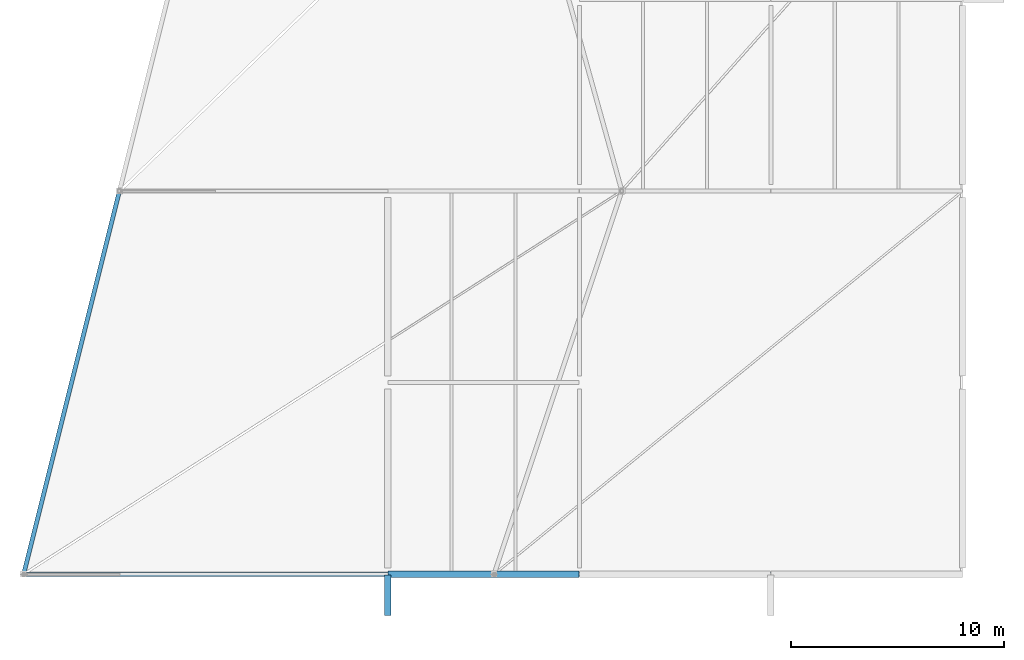
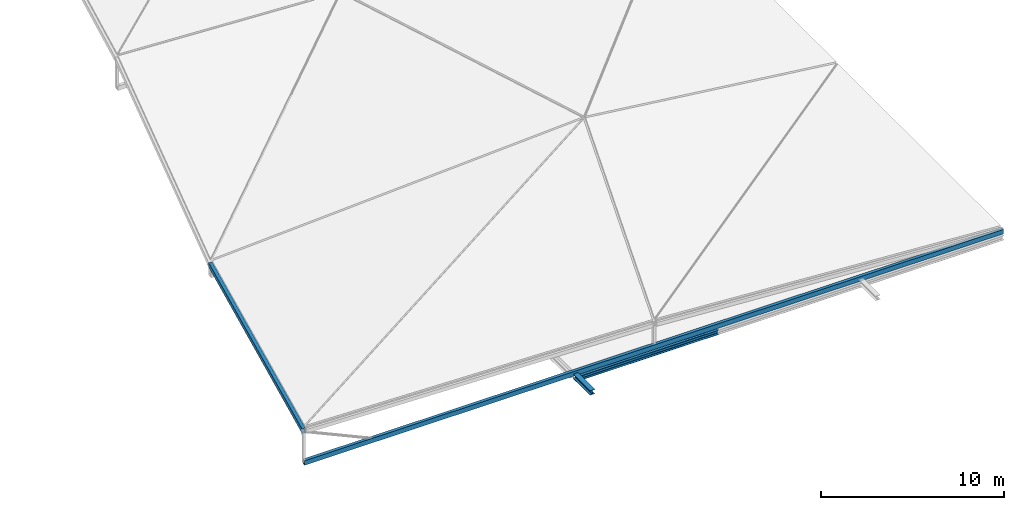
# One storey, part 2 of 18: 2 beams, 2 members.
"""IFC4 building model written with IfcOpenShell, lengths in metres."""

from ifc_helpers import new_model, si_unit, direction, frame, origin, origin_2d, place, context, subcontext, project, spatial, hollow_rectangle, i_section, extrude, material, material_profile, profile_set, type_object, element, save


model = new_model("IFC4")

# Units and contexts
model_context = context("Model", 3, precision=1e-05, world=origin(), true_north=direction((0.0, 1.0)))
body_context = subcontext(model_context, "Body", "Model", "MODEL_VIEW")
ifc_project = project(units=[si_unit("LENGTHUNIT", "METRE"), si_unit("AREAUNIT", "SQUARE_METRE"), si_unit("VOLUMEUNIT", "CUBIC_METRE"), si_unit("PLANEANGLEUNIT", "RADIAN"), si_unit("MASSUNIT", "GRAM", prefix="KILO")], contexts=[model_context])

# Site, building, storey
site_placement = place(None, origin())
site = spatial("IfcSite", under=ifc_project, at=site_placement, CompositionType="ELEMENT")
building_placement = place(site_placement, origin())
building = spatial("IfcBuilding", under=site, at=building_placement, Name="Deido Ridge Mobility Hub", CompositionType="ELEMENT")
storey_placement = place(building_placement, frame((0.0, 0.0, 29.39990234375)))
storey = spatial("IfcBuildingStorey", under=building, at=storey_placement, Name="RF", CompositionType="ELEMENT", Elevation=29.39990234375)

# Members
ifc_material_1 = material(Name="Steel S355J2H EN 10210-1", Category="steel")
ifc_material_profile_1 = material_profile(ifc_material_1, hollow_rectangle(XDim=0.199951171875, YDim=0.300048828125, WallThickness=0.012451171875, at=origin_2d()), Name="RHS 300x200x12.5")
ifc_profile_set_1 = profile_set([ifc_material_profile_1], Name="Steel S355J2H EN 10210-1")
member_type = type_object("IfcMemberType", Name="MEM-CHD-RHS300", PredefinedType="CHORD", material=ifc_profile_set_1)
member_1_placement = place(storey_placement, frame((135.89990234375, 0.0, 0.0), z_axis=(1.0, 0.0, 0.0), x_axis=(0.0, 1.0, 0.0)))
element("IfcMember", 1, at=member_1_placement, inside=storey, type_object=member_type, Name="Crystal roof tie chord CH1", PredefinedType="CHORD", context=body_context, shape_type="SweptSolid", body=[
    extrude(hollow_rectangle(XDim=0.199951171875, YDim=0.300048828125, WallThickness=0.012451171875, at=origin_2d()), origin(), (0.0, 0.0, 1.0), 44.10009765625),
])
member_2_placement = place(storey_placement, frame((135.89990234375, 0.0, 2.090087890625), z_axis=(0.241848212178, 0.967392848711, -0.075236417569), x_axis=(-0.970142500145, 0.242535625036, 0.0)))
element("IfcMember", 2, at=member_2_placement, inside=storey, type_object=member_type, Name="Crystal longitudinal ridge chord CH1", PredefinedType="CHORD", context=body_context, shape_type="SweptSolid", body=[
    extrude(hollow_rectangle(XDim=0.199951171875, YDim=0.300048828125, WallThickness=0.012451171875, at=origin_2d()), origin(), (0.0, 0.0, 1.0), 18.606689453125),
])

# Beams
ifc_material_2 = material(Name="Steel S355J2 EN 10025-2", Category="steel")
ifc_material_profile_2 = material_profile(ifc_material_2, i_section(OverallWidth=0.300048828125, OverallDepth=0.300048828125, WebThickness=0.010986328125, FlangeThickness=0.01904296875, FilletRadius=0.027099609375, at=origin_2d()), Name="HEB 300")
ifc_profile_set_2 = profile_set([ifc_material_profile_2], Name="Steel S355J2 EN 10025-2")
beam_type = type_object("IfcBeamType", Name="SPD-HEB300", PredefinedType="SPANDREL", material=ifc_profile_set_2)
beam_1_placement = place(storey_placement, frame((153.0078125, 0.0, -0.389892578125), z_axis=(1.0, 0.0, 0.0), x_axis=(0.0, 1.0, 0.0)))
element("IfcBeam", 3, at=beam_1_placement, inside=storey, type_object=beam_type, Name="Floor beam SP1", PredefinedType="SPANDREL", context=body_context, shape_type="SweptSolid", body=[
    extrude(i_section(OverallWidth=0.300048828125, OverallDepth=0.300048828125, WebThickness=0.010986328125, FlangeThickness=0.01904296875, FilletRadius=0.027099609375, at=origin_2d()), origin(), (0.0, 0.0, 1.0), 8.984375),
])
beam_2_placement = place(storey_placement, frame((153.0, -0.050048828125, -0.14990234375), z_axis=(0.0, -1.0, 0.0), x_axis=(1.0, 0.0, 0.0)))
element("IfcBeam", 4, at=beam_2_placement, inside=storey, type_object=beam_type, Name="Exoskeleton outrigger beam SP1", PredefinedType="SPANDREL", context=body_context, shape_type="SweptSolid", body=[
    extrude(i_section(OverallWidth=0.300048828125, OverallDepth=0.300048828125, WebThickness=0.010986328125, FlangeThickness=0.01904296875, FilletRadius=0.027099609375, at=origin_2d()), origin(), (0.0, 0.0, 1.0), 1.89990234375),
])

save(model, "model.ifc")
